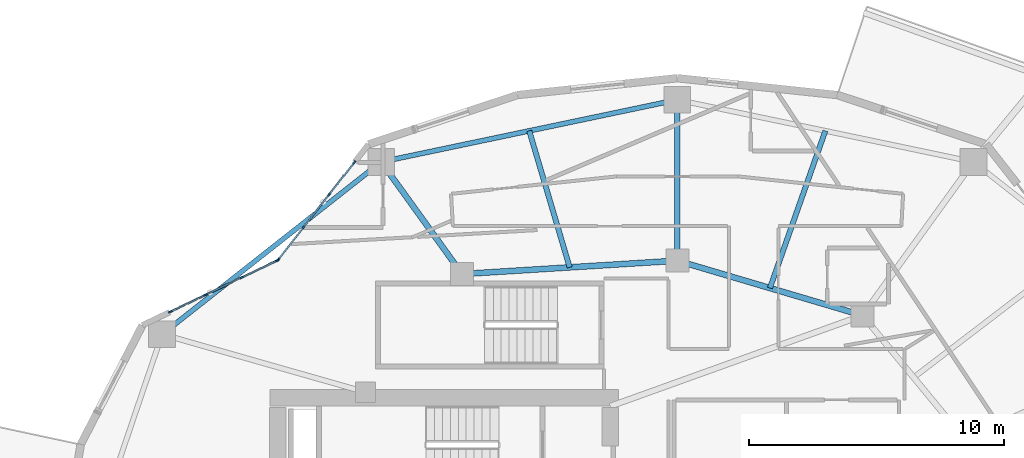
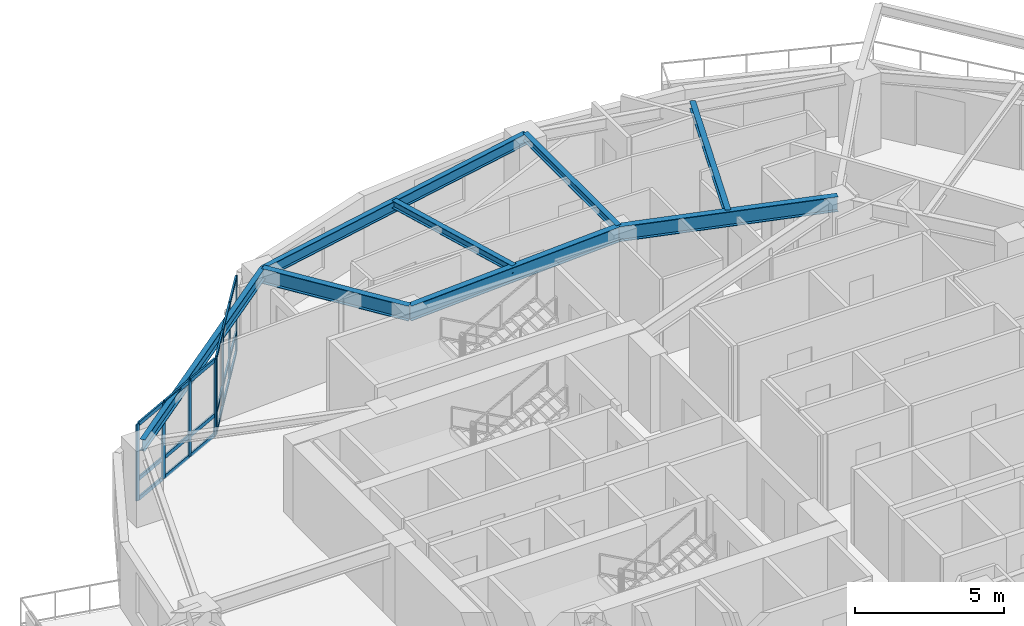
# One storey, part 5 of 18: 26 members, 8 beams, 2 elements without a shape of their own.
"""IFC4 building model written with IfcOpenShell, lengths in metres."""

import ifcopenshell
import ifcopenshell.guid

model = None  # the IFC model being written
_history = None  # IfcOwnerHistory: only IFC2X3 demands one
_inside = {}  # id of a spatial element -> (the spatial element, [elements in it])
_under = {}  # id of a project, library or spatial element -> (it, [spatial elements below it])
_declared = {}  # id of a project -> (the project, [libraries it declares])
_typed = {}  # id of a type object -> (the type object, [elements of that type])
_made_of = {}  # id of a material, layer set ... -> (it, [elements and type objects made of it])


def new_model(schema):
    """Start an empty IFC model of exactly this schema.

    Asked for "IFC4X3", IfcOpenShell would pick the latest addendum, in which some entities
    have other attributes; the version numbers below select the first issue.
    IFC2X3 requires an IfcOwnerHistory on every rooted entity: one is made here for all.
    """
    global model, _history
    if schema == "IFC4X3":
        model = ifcopenshell.file(schema_version=(4, 3, 0, 0))
    else:
        model = ifcopenshell.file(schema=schema)
    _inside.clear()
    _under.clear()
    _declared.clear()
    _typed.clear()
    _made_of.clear()
    _history = None
    if model.schema == "IFC2X3":
        org = make("IfcOrganization", Name="unknown")
        user = make(
            "IfcPersonAndOrganization",
            ThePerson=make("IfcPerson", FamilyName="unknown"),
            TheOrganization=org,
        )
        app = make(
            "IfcApplication",
            ApplicationDeveloper=org,
            Version="unknown",
            ApplicationFullName="unknown",
            ApplicationIdentifier="unknown",
        )
        _history = make(
            "IfcOwnerHistory",
            OwningUser=user,
            OwningApplication=app,
            ChangeAction="ADDED",
            CreationDate=0,
        )
    return model


def make(cls, **values):
    """One entity of the class cls with the attributes given. An attribute that is None is left unset."""
    return model.create_entity(
        cls, **{name: value for name, value in values.items() if value is not None}
    )


def rooted(cls, **values):
    """An entity with a GlobalId (a new one), such as an element, a storey or a relation."""
    return make(cls, GlobalId=ifcopenshell.guid.new(), OwnerHistory=_history, **values)


def si_unit(unit_type, name, prefix=None):
    """IfcSIUnit, for example si_unit("LENGTHUNIT", "METRE", prefix="MILLI")."""
    return make("IfcSIUnit", UnitType=unit_type, Prefix=prefix, Name=name)


def assignment(units):
    """IfcUnitAssignment: the units of a project."""
    return None if units is None else make("IfcUnitAssignment", Units=units)


def point(xyz):
    """IfcCartesianPoint."""
    return None if xyz is None else make("IfcCartesianPoint", Coordinates=xyz)


def direction(xyz):
    """IfcDirection."""
    return None if xyz is None else make("IfcDirection", DirectionRatios=xyz)


def frame(location, z_axis=None, x_axis=None):
    """IfcAxis2Placement3D, a coordinate frame: its origin and axes. An axis left out is left unset."""
    return make(
        "IfcAxis2Placement3D",
        Location=point(location),
        Axis=direction(z_axis),
        RefDirection=direction(x_axis),
    )


def frame_2d(location, x_axis=None):
    """IfcAxis2Placement2D, a coordinate frame in the plane: its origin and x axis."""
    return make(
        "IfcAxis2Placement2D", Location=point(location), RefDirection=direction(x_axis)
    )


def origin():
    """The frame at (0, 0, 0) with its axes left unset."""
    return frame((0.0, 0.0, 0.0))


def origin_2d():
    """The frame at (0, 0) in the plane with its x axis left unset."""
    return frame_2d((0.0, 0.0))


def place(relative_to, where):
    """IfcLocalPlacement: puts the frame where relative to a parent placement (None: the world)."""
    return make(
        "IfcLocalPlacement", PlacementRelTo=relative_to, RelativePlacement=where
    )


def context(
    kind, dimensions, precision=None, world=None, true_north=None, identifier=None
):
    """IfcGeometricRepresentationContext, for example the 3D "Model" context."""
    return make(
        "IfcGeometricRepresentationContext",
        ContextIdentifier=identifier,
        ContextType=kind,
        CoordinateSpaceDimension=dimensions,
        Precision=precision,
        WorldCoordinateSystem=world,
        TrueNorth=true_north,
    )


def subcontext(parent, identifier, kind, view, scale=None):
    """IfcGeometricRepresentationSubContext, for example "Body" below "Model"."""
    return make(
        "IfcGeometricRepresentationSubContext",
        ContextIdentifier=identifier,
        ContextType=kind,
        ParentContext=parent,
        TargetScale=scale,
        TargetView=view,
    )


def project(units=None, contexts=None):
    """IfcProject with its units and contexts."""
    return rooted(
        "IfcProject",
        Name="project",
        RepresentationContexts=contexts,
        UnitsInContext=assignment(units),
    )


def spatial(cls, under=None, at=None, **own):
    """A site, building, storey or space (cls), placed at a placement, below another one or the project."""
    s = rooted(cls, ObjectPlacement=at, **own)
    if under is not None:
        _under.setdefault(under.id(), (under, []))[1].append(s)
    return s


def profile(cls, at=None, kind="AREA", **sizes):
    """A parametric profile (cls). Its sizes go by their IFC names, for example OverallWidth=200.0."""
    return make(cls, ProfileType=kind, Position=at, **sizes)


def rectangle(**sizes):
    """IfcRectangleProfileDef."""
    return profile("IfcRectangleProfileDef", **sizes)


def i_section(**sizes):
    """IfcIShapeProfileDef."""
    return profile("IfcIShapeProfileDef", **sizes)


def extrude(swept, where, along, depth):
    """IfcExtrudedAreaSolid: the profile swept, set in the frame where, extruded along a direction by depth."""
    return make(
        "IfcExtrudedAreaSolid",
        SweptArea=swept,
        Position=where,
        ExtrudedDirection=direction(along),
        Depth=depth,
    )


def shape(context_of_items, identifier, shape_type, items):
    """IfcShapeRepresentation: the items that make up one representation, for example the "Body"."""
    return make(
        "IfcShapeRepresentation",
        ContextOfItems=context_of_items,
        RepresentationIdentifier=identifier,
        RepresentationType=shape_type,
        Items=items,
    )


def material(Name=None, Category=None):
    """IfcMaterial."""
    return make("IfcMaterial", Name=Name, Category=Category)


def layer(
    of_material, thickness, ventilated=None, Name=None, Category=None, Priority=None
):
    """IfcMaterialLayer: one layer of a wall or slab, of a material (None: an air gap)."""
    return make(
        "IfcMaterialLayer",
        Material=of_material,
        LayerThickness=thickness,
        IsVentilated=ventilated,
        Name=Name,
        Category=Category,
        Priority=Priority,
    )


def layer_set(layers, Name=None):
    """IfcMaterialLayerSet."""
    return make("IfcMaterialLayerSet", MaterialLayers=layers, LayerSetName=Name)


def material_profile(
    of_material, cross_section, Name=None, Category=None, Priority=None
):
    """IfcMaterialProfile: a cross section and its material."""
    return make(
        "IfcMaterialProfile",
        Name=Name,
        Material=of_material,
        Profile=cross_section,
        Priority=Priority,
        Category=Category,
    )


def profile_set(profiles, Name=None, composite=None):
    """IfcMaterialProfileSet."""
    return make(
        "IfcMaterialProfileSet",
        Name=Name,
        MaterialProfiles=profiles,
        CompositeProfile=composite,
    )


def made_of(thing, what):
    """Note that an element or type object is made of a material, layer set ...; save() writes the relation."""
    if what is not None:
        _made_of.setdefault(what.id(), (what, []))[1].append(thing)
    return thing


def type_object(cls, material=None, **own):
    """A type object (cls), such as IfcWallType, which elements share."""
    return made_of(rooted(cls, **own), material)


def element(
    cls,
    number,
    at=None,
    inside=None,
    cuts=None,
    type_object=None,
    material=None,
    context=None,
    identifier="Body",
    shape_type=None,
    held_by="IfcProductDefinitionShape",
    body=None,
    shapes=None,
    **own,
):
    """One element of the class cls, such as IfcWall. Its Tag is "e" and its number.

    at: its placement. inside: the storey or other place that contains it. cuts: it is an
    opening in that element (IfcRelVoidsElement). A single representation is given by context,
    identifier, shape_type and body (its items); several are given by shapes. held_by: the class
    of the entity that holds the representations. save() writes the other relations.
    """
    e = rooted(cls, Tag="e%d" % number, ObjectPlacement=at, **own)
    if body is not None:
        shapes = [shape(context, identifier, shape_type, body)]
    if shapes is not None:
        e.Representation = make(held_by, Representations=shapes)
    if inside is not None:
        _inside.setdefault(inside.id(), (inside, []))[1].append(e)
    if cuts is not None:
        rooted(
            "IfcRelVoidsElement", RelatingBuildingElement=cuts, RelatedOpeningElement=e
        )
    if type_object is not None:
        _typed.setdefault(type_object.id(), (type_object, []))[1].append(e)
    return made_of(e, material)


def aggregate(whole, parts):
    """IfcRelAggregates: a whole, such as a stair, and the parts it consists of."""
    return rooted("IfcRelAggregates", RelatingObject=whole, RelatedObjects=parts)


def save(model, path):
    """Write the relations noted so far, then the file.

    IfcRelAggregates (storeys below a building ...), IfcRelContainedInSpatialStructure (elements
    in a storey), IfcRelDefinesByType, IfcRelAssociatesMaterial and IfcRelDeclares: one each for
    every whole, place, type object, material and project.
    """
    for whole, parts in _under.values():
        aggregate(whole, parts)
    for where, things in _inside.values():
        rooted(
            "IfcRelContainedInSpatialStructure",
            RelatedElements=things,
            RelatingStructure=where,
        )
    for kind, things in _typed.values():
        rooted("IfcRelDefinesByType", RelatedObjects=things, RelatingType=kind)
    for what, things in _made_of.values():
        rooted("IfcRelAssociatesMaterial", RelatedObjects=things, RelatingMaterial=what)
    for by, libraries in _declared.values():
        rooted("IfcRelDeclares", RelatingContext=by, RelatedDefinitions=libraries)
    model.write(path)


model = new_model("IFC4")

# Units and contexts
model_context = context("Model", 3, precision=1e-05, world=origin(), true_north=direction((0.0, 1.0)))
body_context = subcontext(model_context, "Body", "Model", "MODEL_VIEW")
ifc_project = project(units=[si_unit("LENGTHUNIT", "METRE"), si_unit("AREAUNIT", "SQUARE_METRE"), si_unit("VOLUMEUNIT", "CUBIC_METRE"), si_unit("PLANEANGLEUNIT", "RADIAN"), si_unit("MASSUNIT", "GRAM", prefix="KILO")], contexts=[model_context])

# Site, building, storey
site_placement = place(None, origin())
site = spatial("IfcSite", under=ifc_project, at=site_placement, CompositionType="ELEMENT")
building_placement = place(site_placement, origin())
building = spatial("IfcBuilding", under=site, at=building_placement, Name="Kolvaren Gate Tower and Convention Centre", CompositionType="ELEMENT")
storey_placement = place(building_placement, frame((0.0, 0.0, 108.699951171875)))
storey = spatial("IfcBuildingStorey", under=building, at=storey_placement, Name="L26", CompositionType="ELEMENT", Elevation=108.699951171875)

# Curtain wall, members
ifc_material_1 = material(Name="Anodized Architectural Aluminium Alloy 6063-T6", Category="aluminium")
ifc_layer = layer(ifc_material_1, 0.159912109375)
ifc_layer_set = layer_set([ifc_layer], Name="Anodized Architectural Aluminium Alloy 6063-T6")
curtain_wall_type = type_object("IfcCurtainWallType", Name="CW-HTL-UNIT", PredefinedType="NOTDEFINED", material=ifc_layer_set)
curtain_wall_1_placement = place(storey_placement, origin())
curtain_wall_1 = element("IfcCurtainWall", 1, at=curtain_wall_1_placement, inside=storey, type_object=curtain_wall_type, Name="Tower L26 Unitised Curtain Wall CW-HTL-UNIT Bay 08", PredefinedType="NOTDEFINED")
ifc_material_profile_1 = material_profile(ifc_material_1, rectangle(XDim=0.06494140625, YDim=0.159912109375, at=origin_2d()), Name="CW-MEM-MUL-160")
ifc_profile_set_1 = profile_set([ifc_material_profile_1], Name="Anodized Architectural Aluminium Alloy 6063-T6")
member_type_1 = type_object("IfcMemberType", Name="CW-MEM-MUL-160", PredefinedType="MULLION", material=ifc_profile_set_1)
member_1_placement = place(storey_placement, frame((14.501220703125, 39.24853515625, 0.0), z_axis=(0.0, 0.0, 1.0), x_axis=(-0.787400841666, 0.616441330983, 0.0)))
member_1 = element("IfcMember", 2, at=member_1_placement, type_object=member_type_1, Name="CW-03 mullion 1", PredefinedType="MULLION", context=body_context, shape_type="SweptSolid", body=[
    extrude(rectangle(XDim=0.06494140625, YDim=0.159912109375, at=origin_2d()), origin(), (0.0, 0.0, 1.0), 3.130126953125),
])
member_2_placement = place(storey_placement, frame((15.484619140625, 40.504638671875, 0.0), z_axis=(0.0, 0.0, 1.0), x_axis=(-0.787400841666, 0.616441330983, 0.0)))
member_2 = element("IfcMember", 3, at=member_2_placement, type_object=member_type_1, Name="CW-03 mullion 2", PredefinedType="MULLION", context=body_context, shape_type="SweptSolid", body=[
    extrude(rectangle(XDim=0.06494140625, YDim=0.159912109375, at=origin_2d()), origin(), (0.0, 0.0, 1.0), 3.130126953125),
])
member_3_placement = place(storey_placement, frame((16.488037109375, 41.786376953125, 0.0), z_axis=(0.0, 0.0, 1.0), x_axis=(-0.787400841666, 0.616441330983, 0.0)))
member_3 = element("IfcMember", 4, at=member_3_placement, type_object=member_type_1, Name="CW-03 mullion 3", PredefinedType="MULLION", context=body_context, shape_type="SweptSolid", body=[
    extrude(rectangle(XDim=0.06494140625, YDim=0.159912109375, at=origin_2d()), origin(), (0.0, 0.0, 1.0), 3.130126953125),
])
member_4_placement = place(storey_placement, frame((17.471435546875, 43.042236328125, 0.0), z_axis=(0.0, 0.0, 1.0), x_axis=(-0.787400841666, 0.616441330983, 0.0)))
member_4 = element("IfcMember", 5, at=member_4_placement, type_object=member_type_1, Name="CW-03 mullion 4", PredefinedType="MULLION", context=body_context, shape_type="SweptSolid", body=[
    extrude(rectangle(XDim=0.06494140625, YDim=0.159912109375, at=origin_2d()), origin(), (0.0, 0.0, 1.0), 3.130126953125),
])

curtain_wall_2_placement = place(storey_placement, origin())
curtain_wall_2 = element("IfcCurtainWall", 6, at=curtain_wall_2_placement, inside=storey, type_object=curtain_wall_type, Name="Tower L26 Unitised Curtain Wall CW-HTL-UNIT Bay 09", PredefinedType="NOTDEFINED")
member_5_placement = place(storey_placement, frame((10.271728515625, 37.200439453125, 0.0), z_axis=(0.0, 0.0, 1.0), x_axis=(-0.43307254033, 0.901359070966, 0.0)))
member_5 = element("IfcMember", 7, at=member_5_placement, type_object=member_type_1, Name="CW-03 mullion 1", PredefinedType="MULLION", context=body_context, shape_type="SweptSolid", body=[
    extrude(rectangle(XDim=0.06494140625, YDim=0.159912109375, at=origin_2d()), origin(), (0.0, 0.0, 1.0), 3.130126953125),
])
member_6_placement = place(storey_placement, frame((11.655517578125, 37.865234375, 0.0), z_axis=(0.0, 0.0, 1.0), x_axis=(-0.43307254033, 0.901359070966, 0.0)))
member_6 = element("IfcMember", 8, at=member_6_placement, type_object=member_type_1, Name="CW-03 mullion 2", PredefinedType="MULLION", context=body_context, shape_type="SweptSolid", body=[
    extrude(rectangle(XDim=0.06494140625, YDim=0.159912109375, at=origin_2d()), origin(), (0.0, 0.0, 1.0), 3.130126953125),
])
member_7_placement = place(storey_placement, frame((13.068359375, 38.544189453125, 0.0), z_axis=(0.0, 0.0, 1.0), x_axis=(-0.43307254033, 0.901359070966, 0.0)))
member_7 = element("IfcMember", 9, at=member_7_placement, type_object=member_type_1, Name="CW-03 mullion 3", PredefinedType="MULLION", context=body_context, shape_type="SweptSolid", body=[
    extrude(rectangle(XDim=0.06494140625, YDim=0.159912109375, at=origin_2d()), origin(), (0.0, 0.0, 1.0), 3.130126953125),
])
member_8_placement = place(storey_placement, frame((14.451904296875, 39.208984375, 0.0), z_axis=(0.0, 0.0, 1.0), x_axis=(-0.43307254033, 0.901359070966, 0.0)))
member_8 = element("IfcMember", 10, at=member_8_placement, type_object=member_type_1, Name="CW-03 mullion 4", PredefinedType="MULLION", context=body_context, shape_type="SweptSolid", body=[
    extrude(rectangle(XDim=0.06494140625, YDim=0.159912109375, at=origin_2d()), origin(), (0.0, 0.0, 1.0), 3.130126953125),
])

# Member
ifc_material_profile_2 = material_profile(ifc_material_1, rectangle(XDim=0.06494140625, YDim=0.159912109375, at=origin_2d()), Name="CW-MEM-TRN-160")
ifc_profile_set_2 = profile_set([ifc_material_profile_2], Name="Anodized Architectural Aluminium Alloy 6063-T6")
member_type_2 = type_object("IfcMemberType", Name="CW-MEM-TRN-160", PredefinedType="USERDEFINED", material=ifc_profile_set_2)
member_9_placement = place(storey_placement, frame((14.521484375, 39.274169921875, 0.032470703125), z_axis=(0.61639000373, 0.78744102211, 0.0), x_axis=(-0.78744102211, 0.61639000373, 0.0)))
member_9 = element("IfcMember", 11, at=member_9_placement, type_object=member_type_2, Name="CW-03 transom 1.1", ObjectType="TRANSOM", PredefinedType="USERDEFINED", context=body_context, shape_type="SweptSolid", body=[
    extrude(rectangle(XDim=0.06494140625, YDim=0.159912109375, at=origin_2d()), origin(), (0.0, 0.0, 1.0), 1.530029296875),
])

member_10_placement = place(storey_placement, frame((14.521484375, 39.274169921875, 0.85009765625), z_axis=(0.61639000373, 0.78744102211, 0.0), x_axis=(-0.78744102211, 0.61639000373, 0.0)))
member_10 = element("IfcMember", 12, at=member_10_placement, type_object=member_type_2, Name="CW-03 transom 1.2", ObjectType="TRANSOM", PredefinedType="USERDEFINED", context=body_context, shape_type="SweptSolid", body=[
    extrude(rectangle(XDim=0.06494140625, YDim=0.159912109375, at=origin_2d()), origin(), (0.0, 0.0, 1.0), 1.530029296875),
])

member_11_placement = place(storey_placement, frame((14.521484375, 39.274169921875, 3.09765625), z_axis=(0.61639000373, 0.78744102211, 0.0), x_axis=(-0.78744102211, 0.61639000373, 0.0)))
member_11 = element("IfcMember", 13, at=member_11_placement, type_object=member_type_2, Name="CW-03 transom 1.3", ObjectType="TRANSOM", PredefinedType="USERDEFINED", context=body_context, shape_type="SweptSolid", body=[
    extrude(rectangle(XDim=0.06494140625, YDim=0.159912109375, at=origin_2d()), origin(), (0.0, 0.0, 1.0), 1.530029296875),
])

member_12_placement = place(storey_placement, frame((15.504638671875, 40.5302734375, 0.032470703125), z_axis=(0.616468321189, 0.787379710794, 0.0), x_axis=(-0.787379710794, 0.616468321189, 0.0)))
member_12 = element("IfcMember", 14, at=member_12_placement, type_object=member_type_2, Name="CW-03 transom 2.1", ObjectType="TRANSOM", PredefinedType="USERDEFINED", context=body_context, shape_type="SweptSolid", body=[
    extrude(rectangle(XDim=0.06494140625, YDim=0.159912109375, at=origin_2d()), origin(), (0.0, 0.0, 1.0), 1.562744140625),
])

member_13_placement = place(storey_placement, frame((15.504638671875, 40.5302734375, 0.85009765625), z_axis=(0.616468321189, 0.787379710794, 0.0), x_axis=(-0.787379710794, 0.616468321189, 0.0)))
member_13 = element("IfcMember", 15, at=member_13_placement, type_object=member_type_2, Name="CW-03 transom 2.2", ObjectType="TRANSOM", PredefinedType="USERDEFINED", context=body_context, shape_type="SweptSolid", body=[
    extrude(rectangle(XDim=0.06494140625, YDim=0.159912109375, at=origin_2d()), origin(), (0.0, 0.0, 1.0), 1.562744140625),
])

member_14_placement = place(storey_placement, frame((15.504638671875, 40.5302734375, 3.09765625), z_axis=(0.616468321189, 0.787379710794, 0.0), x_axis=(-0.787379710794, 0.616468321189, 0.0)))
member_14 = element("IfcMember", 16, at=member_14_placement, type_object=member_type_2, Name="CW-03 transom 2.3", ObjectType="TRANSOM", PredefinedType="USERDEFINED", context=body_context, shape_type="SweptSolid", body=[
    extrude(rectangle(XDim=0.06494140625, YDim=0.159912109375, at=origin_2d()), origin(), (0.0, 0.0, 1.0), 1.562744140625),
])

member_15_placement = place(storey_placement, frame((16.508056640625, 41.811767578125, 0.032470703125), z_axis=(0.616488928006, 0.78736357653, 0.0), x_axis=(-0.78736357653, 0.616488928006, 0.0)))
member_15 = element("IfcMember", 17, at=member_15_placement, type_object=member_type_2, Name="CW-03 transom 3.1", ObjectType="TRANSOM", PredefinedType="USERDEFINED", context=body_context, shape_type="SweptSolid", body=[
    extrude(rectangle(XDim=0.06494140625, YDim=0.159912109375, at=origin_2d()), origin(), (0.0, 0.0, 1.0), 1.5302734375),
])

member_16_placement = place(storey_placement, frame((16.508056640625, 41.811767578125, 0.85009765625), z_axis=(0.616488928006, 0.78736357653, 0.0), x_axis=(-0.78736357653, 0.616488928006, 0.0)))
member_16 = element("IfcMember", 18, at=member_16_placement, type_object=member_type_2, Name="CW-03 transom 3.2", ObjectType="TRANSOM", PredefinedType="USERDEFINED", context=body_context, shape_type="SweptSolid", body=[
    extrude(rectangle(XDim=0.06494140625, YDim=0.159912109375, at=origin_2d()), origin(), (0.0, 0.0, 1.0), 1.5302734375),
])

member_17_placement = place(storey_placement, frame((16.508056640625, 41.811767578125, 3.09765625), z_axis=(0.616488928006, 0.78736357653, 0.0), x_axis=(-0.78736357653, 0.616488928006, 0.0)))
member_17 = element("IfcMember", 19, at=member_17_placement, type_object=member_type_2, Name="CW-03 transom 3.3", ObjectType="TRANSOM", PredefinedType="USERDEFINED", context=body_context, shape_type="SweptSolid", body=[
    extrude(rectangle(XDim=0.06494140625, YDim=0.159912109375, at=origin_2d()), origin(), (0.0, 0.0, 1.0), 1.5302734375),
])

aggregate(curtain_wall_1, [member_1, member_2, member_3, member_4, member_9, member_10, member_11, member_12, member_13, member_14, member_15, member_16, member_17])

member_18_placement = place(storey_placement, frame((10.301025390625, 37.214599609375, 0.032470703125), z_axis=(0.901421966244, 0.432941611274, 0.0), x_axis=(-0.432941611274, 0.901421966244, 0.0)))
member_18 = element("IfcMember", 20, at=member_18_placement, type_object=member_type_2, Name="CW-03 transom 1.1", ObjectType="TRANSOM", PredefinedType="USERDEFINED", context=body_context, shape_type="SweptSolid", body=[
    extrude(rectangle(XDim=0.06494140625, YDim=0.159912109375, at=origin_2d()), origin(), (0.0, 0.0, 1.0), 1.47021484375),
])

member_19_placement = place(storey_placement, frame((10.301025390625, 37.214599609375, 0.85009765625), z_axis=(0.901421966244, 0.432941611274, 0.0), x_axis=(-0.432941611274, 0.901421966244, 0.0)))
member_19 = element("IfcMember", 21, at=member_19_placement, type_object=member_type_2, Name="CW-03 transom 1.2", ObjectType="TRANSOM", PredefinedType="USERDEFINED", context=body_context, shape_type="SweptSolid", body=[
    extrude(rectangle(XDim=0.06494140625, YDim=0.159912109375, at=origin_2d()), origin(), (0.0, 0.0, 1.0), 1.47021484375),
])

member_20_placement = place(storey_placement, frame((10.301025390625, 37.214599609375, 3.09765625), z_axis=(0.901421966244, 0.432941611274, 0.0), x_axis=(-0.432941611274, 0.901421966244, 0.0)))
member_20 = element("IfcMember", 22, at=member_20_placement, type_object=member_type_2, Name="CW-03 transom 1.3", ObjectType="TRANSOM", PredefinedType="USERDEFINED", context=body_context, shape_type="SweptSolid", body=[
    extrude(rectangle(XDim=0.06494140625, YDim=0.159912109375, at=origin_2d()), origin(), (0.0, 0.0, 1.0), 1.47021484375),
])

member_21_placement = place(storey_placement, frame((11.684814453125, 37.87939453125, 0.032470703125), z_axis=(0.901368321762, 0.43305328601, 0.0), x_axis=(-0.43305328601, 0.901368321762, 0.0)))
member_21 = element("IfcMember", 23, at=member_21_placement, type_object=member_type_2, Name="CW-03 transom 2.1", ObjectType="TRANSOM", PredefinedType="USERDEFINED", context=body_context, shape_type="SweptSolid", body=[
    extrude(rectangle(XDim=0.06494140625, YDim=0.159912109375, at=origin_2d()), origin(), (0.0, 0.0, 1.0), 1.50244140625),
])

member_22_placement = place(storey_placement, frame((11.684814453125, 37.87939453125, 0.85009765625), z_axis=(0.901368321762, 0.43305328601, 0.0), x_axis=(-0.43305328601, 0.901368321762, 0.0)))
member_22 = element("IfcMember", 24, at=member_22_placement, type_object=member_type_2, Name="CW-03 transom 2.2", ObjectType="TRANSOM", PredefinedType="USERDEFINED", context=body_context, shape_type="SweptSolid", body=[
    extrude(rectangle(XDim=0.06494140625, YDim=0.159912109375, at=origin_2d()), origin(), (0.0, 0.0, 1.0), 1.50244140625),
])

member_23_placement = place(storey_placement, frame((11.684814453125, 37.87939453125, 3.09765625), z_axis=(0.901368321762, 0.43305328601, 0.0), x_axis=(-0.43305328601, 0.901368321762, 0.0)))
member_23 = element("IfcMember", 25, at=member_23_placement, type_object=member_type_2, Name="CW-03 transom 2.3", ObjectType="TRANSOM", PredefinedType="USERDEFINED", context=body_context, shape_type="SweptSolid", body=[
    extrude(rectangle(XDim=0.06494140625, YDim=0.159912109375, at=origin_2d()), origin(), (0.0, 0.0, 1.0), 1.50244140625),
])

member_24_placement = place(storey_placement, frame((13.09765625, 38.55810546875, 0.032470703125), z_axis=(0.901325998393, 0.43314136794, 0.0), x_axis=(-0.43314136794, 0.901325998393, 0.0)))
member_24 = element("IfcMember", 26, at=member_24_placement, type_object=member_type_2, Name="CW-03 transom 3.1", ObjectType="TRANSOM", PredefinedType="USERDEFINED", context=body_context, shape_type="SweptSolid", body=[
    extrude(rectangle(XDim=0.06494140625, YDim=0.159912109375, at=origin_2d()), origin(), (0.0, 0.0, 1.0), 1.469970703125),
])

member_25_placement = place(storey_placement, frame((13.09765625, 38.55810546875, 0.85009765625), z_axis=(0.901325998393, 0.43314136794, 0.0), x_axis=(-0.43314136794, 0.901325998393, 0.0)))
member_25 = element("IfcMember", 27, at=member_25_placement, type_object=member_type_2, Name="CW-03 transom 3.2", ObjectType="TRANSOM", PredefinedType="USERDEFINED", context=body_context, shape_type="SweptSolid", body=[
    extrude(rectangle(XDim=0.06494140625, YDim=0.159912109375, at=origin_2d()), origin(), (0.0, 0.0, 1.0), 1.469970703125),
])

member_26_placement = place(storey_placement, frame((13.09765625, 38.55810546875, 3.09765625), z_axis=(0.901325998393, 0.43314136794, 0.0), x_axis=(-0.43314136794, 0.901325998393, 0.0)))
member_26 = element("IfcMember", 28, at=member_26_placement, type_object=member_type_2, Name="CW-03 transom 3.3", ObjectType="TRANSOM", PredefinedType="USERDEFINED", context=body_context, shape_type="SweptSolid", body=[
    extrude(rectangle(XDim=0.06494140625, YDim=0.159912109375, at=origin_2d()), origin(), (0.0, 0.0, 1.0), 1.469970703125),
])

aggregate(curtain_wall_2, [member_5, member_6, member_7, member_8, member_18, member_19, member_20, member_21, member_22, member_23, member_24, member_25, member_26])

# Beams
ifc_material_2 = material(Name="Structural steel ASTM A992 Grade 345 MPa", Category="steel")
ifc_material_profile_3 = material_profile(ifc_material_2, i_section(OverallWidth=0.22998046875, OverallDepth=0.616943359375, WebThickness=0.01318359375, FlangeThickness=0.022216796875, at=origin_2d()), Name="W610X140")
ifc_profile_set_3 = profile_set([ifc_material_profile_3], Name="Structural steel ASTM A992 Grade 345 MPa")
beam_type_1 = type_object("IfcBeamType", Name="STR-BM-W610X140", PredefinedType="BEAM", material=ifc_profile_set_3)
beam_1_placement = place(storey_placement, frame((37.381591796875, 37.054931640625, 2.821533203125), z_axis=(-0.958980837827, 0.283470902706, 0.0), x_axis=(-0.283470902706, -0.958980837827, 0.0)))
element("IfcBeam", 29, at=beam_1_placement, inside=storey, type_object=beam_type_1, Name="Tower L26 Primary Ring Girder G-03", PredefinedType="BEAM", context=body_context, shape_type="SweptSolid", body=[
    extrude(i_section(OverallWidth=0.22998046875, OverallDepth=0.616943359375, WebThickness=0.01318359375, FlangeThickness=0.022216796875, at=origin_2d()), origin(), (0.0, 0.0, 1.0), 7.56689453125),
])
beam_2_placement = place(storey_placement, frame((30.125, 39.199951171875, 2.821533203125), z_axis=(-0.998078258568, -0.06196603726, 0.0), x_axis=(0.06196603726, -0.998078258568, 0.0)))
element("IfcBeam", 30, at=beam_2_placement, inside=storey, type_object=beam_type_1, Name="Tower L26 Primary Ring Girder G-04", PredefinedType="BEAM", context=body_context, shape_type="SweptSolid", body=[
    extrude(i_section(OverallWidth=0.22998046875, OverallDepth=0.616943359375, WebThickness=0.01318359375, FlangeThickness=0.022216796875, at=origin_2d()), origin(), (0.0, 0.0, 1.0), 8.443115234375),
])
beam_3_placement = place(storey_placement, frame((21.697998046875, 38.6767578125, 2.821533203125), z_axis=(-0.585184369967, 0.810900273243, 0.0), x_axis=(-0.810900273243, -0.585184369967, 0.0)))
element("IfcBeam", 31, at=beam_3_placement, inside=storey, type_object=beam_type_1, Name="Tower L26 Radial Floor Girder RB-05", PredefinedType="BEAM", context=body_context, shape_type="SweptSolid", body=[
    extrude(i_section(OverallWidth=0.22998046875, OverallDepth=0.616943359375, WebThickness=0.01318359375, FlangeThickness=0.022216796875, at=origin_2d()), origin(), (0.0, 0.0, 1.0), 5.415771484375),
])
ifc_material_profile_4 = material_profile(ifc_material_2, i_section(OverallWidth=0.205078125, OverallDepth=0.31005859375, WebThickness=0.009521484375, FlangeThickness=0.016357421875, at=origin_2d()), Name="W310X74")
ifc_profile_set_4 = profile_set([ifc_material_profile_4], Name="Structural steel ASTM A992 Grade 345 MPa")
beam_type_2 = type_object("IfcBeamType", Name="STR-JS-W310X74", PredefinedType="JOIST", material=ifc_profile_set_4)
beam_4_placement = place(storey_placement, frame((30.125, 39.199951171875, 2.97509765625), z_axis=(0.0, 1.0, 0.0), x_axis=(-1.0, 0.0, 0.0)))
element("IfcBeam", 32, at=beam_4_placement, inside=storey, type_object=beam_type_2, Name="Tower L26 Radial Floor Girder RB-04", PredefinedType="JOIST", context=body_context, shape_type="SweptSolid", body=[
    extrude(i_section(OverallWidth=0.205078125, OverallDepth=0.31005859375, WebThickness=0.009521484375, FlangeThickness=0.016357421875, at=origin_2d()), origin(), (0.0, 0.0, 1.0), 6.300048828125),
])
beam_5_placement = place(storey_placement, frame((33.75341796875, 38.12744140625, 2.97509765625), z_axis=(0.332372088023, 0.943148342046, 0.0), x_axis=(-0.943148342046, 0.332372088023, 0.0)))
element("IfcBeam", 33, at=beam_5_placement, inside=storey, type_object=beam_type_2, Name="Tower L26 Secondary Composite Floor Joist J-03.1", PredefinedType="JOIST", context=body_context, shape_type="SweptSolid", body=[
    extrude(i_section(OverallWidth=0.205078125, OverallDepth=0.31005859375, WebThickness=0.009521484375, FlangeThickness=0.016357421875, at=origin_2d()), origin(), (0.0, 0.0, 1.0), 6.52783203125),
])
beam_6_placement = place(storey_placement, frame((25.91162109375, 38.938232421875, 2.97509765625), z_axis=(-0.284209081553, 0.958762326107, 0.0), x_axis=(-0.958762326107, -0.284209081553, 0.0)))
element("IfcBeam", 34, at=beam_6_placement, inside=storey, type_object=beam_type_2, Name="Tower L26 Secondary Composite Floor Joist J-04.1", PredefinedType="JOIST", context=body_context, shape_type="SweptSolid", body=[
    extrude(i_section(OverallWidth=0.205078125, OverallDepth=0.31005859375, WebThickness=0.009521484375, FlangeThickness=0.016357421875, at=origin_2d()), origin(), (0.0, 0.0, 1.0), 5.575927734375),
])
ifc_material_profile_5 = material_profile(ifc_material_2, i_section(OverallWidth=0.194091796875, OverallDepth=0.468994140625, WebThickness=0.0126953125, FlangeThickness=0.0205078125, at=origin_2d()), Name="W460X106")
ifc_profile_set_5 = profile_set([ifc_material_profile_5], Name="Structural steel ASTM A992 Grade 345 MPa")
beam_type_3 = type_object("IfcBeamType", Name="STR-SP-W460X106", PredefinedType="SPANDREL", material=ifc_profile_set_5)
beam_7_placement = place(storey_placement, frame((30.125, 45.5, 2.8955078125), z_axis=(-0.978713879092, -0.20522948831, 0.0), x_axis=(0.20522948831, -0.978713879092, 0.0)))
element("IfcBeam", 35, at=beam_7_placement, inside=storey, type_object=beam_type_3, Name="Tower L26 Perimeter Spandrel Beam SP-04", PredefinedType="SPANDREL", context=body_context, shape_type="SweptSolid", body=[
    extrude(i_section(OverallWidth=0.194091796875, OverallDepth=0.468994140625, WebThickness=0.0126953125, FlangeThickness=0.0205078125, at=origin_2d()), origin(), (0.0, 0.0, 1.0), 11.848388671875),
])
beam_8_placement = place(storey_placement, frame((18.52880859375, 43.068359375, 2.8955078125), z_axis=(-0.785916161629, -0.61833307116, 0.0), x_axis=(0.61833307116, -0.785916161629, 0.0)))
element("IfcBeam", 36, at=beam_8_placement, inside=storey, type_object=beam_type_3, Name="Tower L26 Perimeter Spandrel Beam SP-05", PredefinedType="SPANDREL", context=body_context, shape_type="SweptSolid", body=[
    extrude(i_section(OverallWidth=0.194091796875, OverallDepth=0.468994140625, WebThickness=0.0126953125, FlangeThickness=0.0205078125, at=origin_2d()), origin(), (0.0, 0.0, 1.0), 10.916015625),
])

save(model, "model.ifc")
